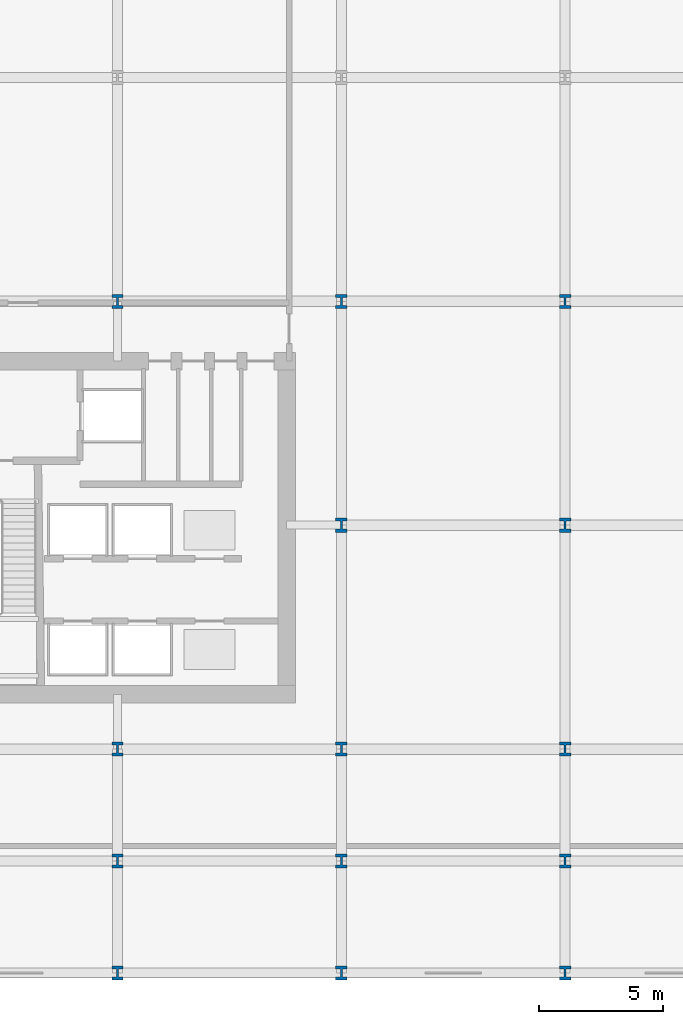
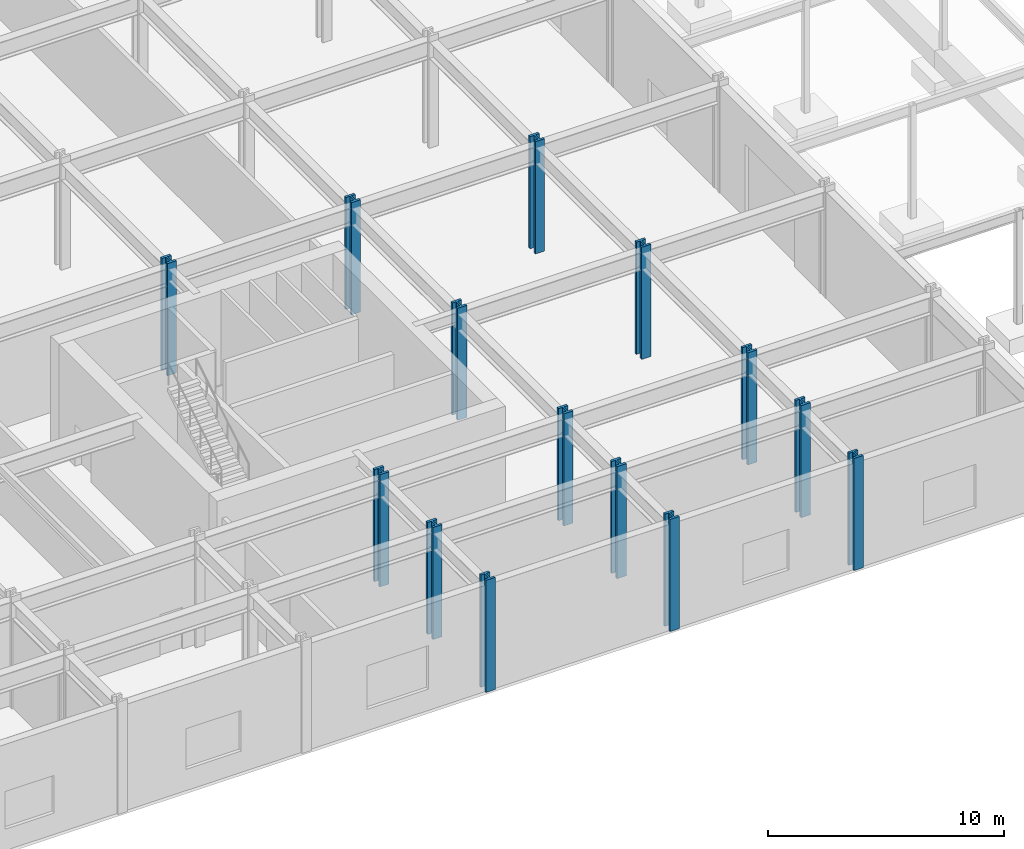
# One storey, part 3 of 19: 14 columns.
"""IFC4 building model written with IfcOpenShell, lengths in metres."""

from ifc_helpers import new_model, si_unit, direction, frame, origin, origin_2d, place, context, subcontext, project, spatial, i_section, extrude, material, material_profile, profile_set, type_object, element, save


model = new_model("IFC4")

# Units and contexts
model_context = context("Model", 3, precision=1e-05, world=origin(), true_north=direction((0.0, 1.0)))
body_context = subcontext(model_context, "Body", "Model", "MODEL_VIEW")
ifc_project = project(units=[si_unit("LENGTHUNIT", "METRE"), si_unit("AREAUNIT", "SQUARE_METRE"), si_unit("VOLUMEUNIT", "CUBIC_METRE"), si_unit("PLANEANGLEUNIT", "RADIAN"), si_unit("MASSUNIT", "GRAM", prefix="KILO")], contexts=[model_context])

# Site, building, storey
site_placement = place(None, origin())
site = spatial("IfcSite", under=ifc_project, at=site_placement, CompositionType="ELEMENT")
building_placement = place(site_placement, origin())
building = spatial("IfcBuilding", under=site, at=building_placement, Name="Solvaryn Broadcast Tower", CompositionType="ELEMENT")
storey_placement = place(building_placement, origin())
storey = spatial("IfcBuildingStorey", under=building, at=storey_placement, Name="L00", CompositionType="ELEMENT", Elevation=0.0)

# Columns
ifc_material_1 = material(Name="Steel ASTM A913 Grade 65", Category="steel")
ifc_material_profile_1 = material_profile(ifc_material_1, i_section(OverallWidth=0.4541015625, OverallDepth=0.569091796875, WebThickness=0.077880859375, FlangeThickness=0.124755859375, FilletRadius=0.014892578125, at=origin_2d()))
ifc_profile_set_1 = profile_set([ifc_material_profile_1], Name="Steel ASTM A913 Grade 65")
column_type_1 = type_object("IfcColumnType", Name="COL-C01E-W14X730", PredefinedType="COLUMN", material=ifc_profile_set_1)
for number, where, z_axis, x_axis, name in (
    (1, (36.0, 0.0, 0.0), (0.0, 0.0, 1.0), (1.0, 0.0, 0.0), "L00 Column (36.0, 0.0)"),
    (2, (45.0, 0.0, 0.0), (0.0, 0.0, 1.0), (1.0, 0.0, 0.0), "L00 Column (45.0, 0.0)"),
    (3, (54.0, 0.0, 0.0), (0.0, 0.0, 1.0), (1.0, 0.0, 0.0), "L00 Column (54.0, 0.0)"),
):
    element("IfcColumn", number, at=place(storey_placement, frame(where, z_axis=z_axis, x_axis=x_axis)), inside=storey, type_object=column_type_1, Name=name, PredefinedType="COLUMN", context=body_context, shape_type="SweptSolid", body=[
        extrude(i_section(OverallWidth=0.4541015625, OverallDepth=0.569091796875, WebThickness=0.077880859375, FlangeThickness=0.124755859375, FilletRadius=0.014892578125, at=origin_2d()), origin(), (0.0, 0.0, 1.0), 5.800048828125),
    ])
ifc_material_2 = material(Name="Steel ASTM A913 Grade 65", Category="steel")
ifc_material_profile_2 = material_profile(ifc_material_2, i_section(OverallWidth=0.4541015625, OverallDepth=0.569091796875, WebThickness=0.077880859375, FlangeThickness=0.124755859375, FilletRadius=0.014892578125, at=origin_2d()))
ifc_profile_set_2 = profile_set([ifc_material_profile_2], Name="Steel ASTM A913 Grade 65")
column_type_2 = type_object("IfcColumnType", Name="COL-C01I-W14X730", PredefinedType="COLUMN", material=ifc_profile_set_2)
for number, where, z_axis, x_axis, name in (
    (4, (36.0, 9.0, 0.0), (0.0, 0.0, 1.0), (1.0, 0.0, 0.0), "L00 Column (36.0, 9.0)"),
    (5, (36.0, 27.0, 0.0), (0.0, 0.0, 1.0), (1.0, 0.0, 0.0), "L00 Column (36.0, 27.0)"),
    (6, (45.0, 9.0, 0.0), (0.0, 0.0, 1.0), (1.0, 0.0, 0.0), "L00 Column (45.0, 9.0)"),
    (7, (45.0, 18.0, 0.0), (0.0, 0.0, 1.0), (1.0, 0.0, 0.0), "L00 Column (45.0, 18.0)"),
    (8, (45.0, 27.0, 0.0), (0.0, 0.0, 1.0), (1.0, 0.0, 0.0), "L00 Column (45.0, 27.0)"),
    (9, (54.0, 9.0, 0.0), (0.0, 0.0, 1.0), (1.0, 0.0, 0.0), "L00 Column (54.0, 9.0)"),
    (10, (54.0, 18.0, 0.0), (0.0, 0.0, 1.0), (1.0, 0.0, 0.0), "L00 Column (54.0, 18.0)"),
    (11, (54.0, 27.0, 0.0), (0.0, 0.0, 1.0), (1.0, 0.0, 0.0), "L00 Column (54.0, 27.0)"),
    (12, (36.0, 4.5, 0.0), (0.0, 0.0, 1.0), (1.0, 0.0, 0.0), "L00 Column (36.0, 4.5)"),
    (13, (45.0, 4.5, 0.0), (0.0, 0.0, 1.0), (1.0, 0.0, 0.0), "L00 Column (45.0, 4.5)"),
    (14, (54.0, 4.5, 0.0), (0.0, 0.0, 1.0), (1.0, 0.0, 0.0), "L00 Column (54.0, 4.5)"),
):
    element("IfcColumn", number, at=place(storey_placement, frame(where, z_axis=z_axis, x_axis=x_axis)), inside=storey, type_object=column_type_2, Name=name, PredefinedType="COLUMN", context=body_context, shape_type="SweptSolid", body=[
        extrude(i_section(OverallWidth=0.4541015625, OverallDepth=0.569091796875, WebThickness=0.077880859375, FlangeThickness=0.124755859375, FilletRadius=0.014892578125, at=origin_2d()), origin(), (0.0, 0.0, 1.0), 5.800048828125),
    ])

save(model, "model.ifc")
